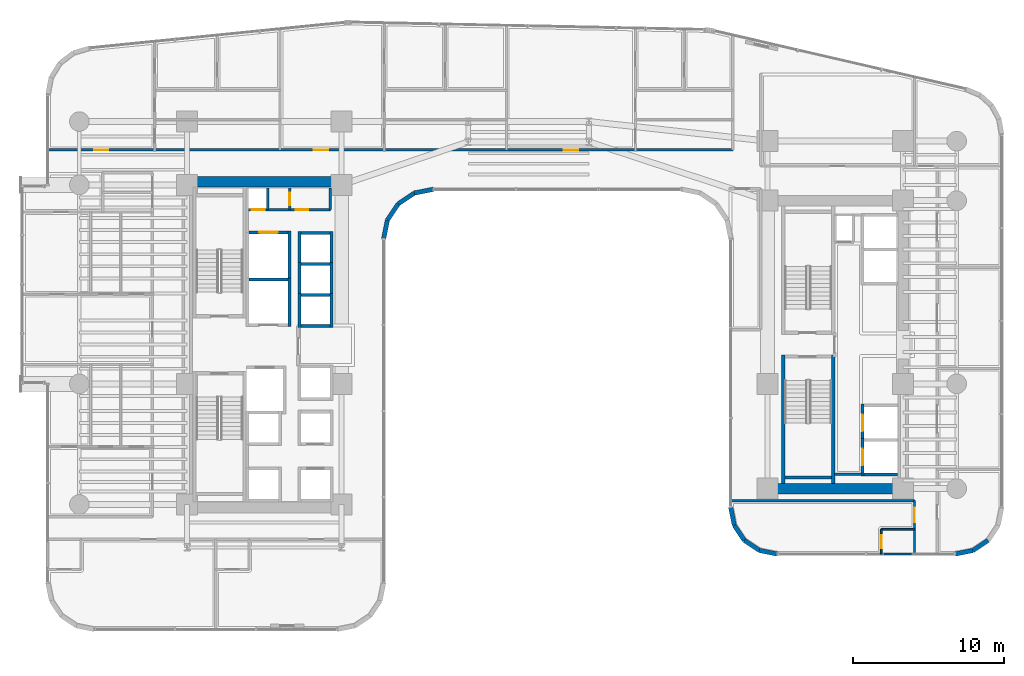
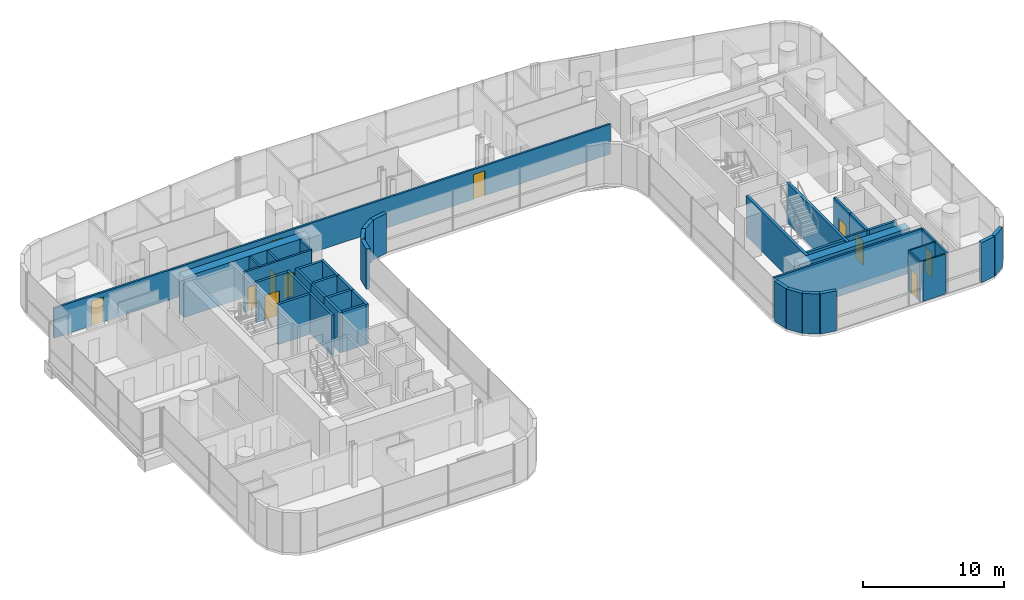
# One storey, part 31 of 40: 43 walls, 11 doors, 11 openings.
"""IFC4 building model written with IfcOpenShell, lengths in metres."""

from ifc_helpers import new_model, si_unit, direction, frame, frame_2d, origin, place, context, subcontext, project, spatial, rectangle, extrude, material, layer, layer_set, type_object, element, fill, save


model = new_model("IFC4")

# Units and contexts
model_context = context("Model", 3, precision=1e-05, world=origin(), true_north=direction((0.0, 1.0)))
body_context = subcontext(model_context, "Body", "Model", "MODEL_VIEW")
ifc_project = project(units=[si_unit("LENGTHUNIT", "METRE"), si_unit("AREAUNIT", "SQUARE_METRE"), si_unit("VOLUMEUNIT", "CUBIC_METRE"), si_unit("PLANEANGLEUNIT", "RADIAN"), si_unit("MASSUNIT", "GRAM", prefix="KILO")], contexts=[model_context])

# Site, building, storey
site_placement = place(None, origin())
site = spatial("IfcSite", under=ifc_project, at=site_placement, CompositionType="ELEMENT")
building_placement = place(site_placement, origin())
building = spatial("IfcBuilding", under=site, at=building_placement, Name="Valdorenza Pilgrim Sanctuary Tower", CompositionType="ELEMENT")
storey_placement = place(building_placement, frame((0.0, 0.0, 44.5)))
storey = spatial("IfcBuildingStorey", under=building, at=storey_placement, Name="L10", CompositionType="ELEMENT", Elevation=44.5)

# Wall, openings, doors
ifc_material_1 = material(Name="Acoustic twin-stud gypsum partition", Category="gypsum")
ifc_layer_1 = layer(ifc_material_1, 0.159912109375, Name="Acoustic twin-stud gypsum partition")
ifc_layer_set_1 = layer_set([ifc_layer_1], Name="Acoustic twin-stud gypsum partition")
wall_type_1 = type_object("IfcWallType", Name="WAL-COR-160", PredefinedType="PARTITIONING", material=ifc_layer_set_1)
wall_1_placement = place(storey_placement, frame((-18.64990234375, 8.949951171875, 0.0), z_axis=(0.0, 0.0, 1.0), x_axis=(1.0, 0.0, 0.0)))
wall_1 = element("IfcWall", 1, at=wall_1_placement, inside=storey, type_object=wall_type_1, Name="L10 Core A North Service South Wall", PredefinedType="PARTITIONING", context=body_context, shape_type="SweptSolid", body=[
    extrude(rectangle(XDim=5.5, YDim=0.159912109375, at=frame_2d((2.75, 0.0))), origin(), (0.0, 0.0, 1.0), 3.4599609375),
])
opening_1_placement = place(wall_1_placement, frame((0.300048828125, 0.0, 0.0)))
opening_1 = element("IfcOpeningElement", 2, at=opening_1_placement, cuts=wall_1, Name="Opening DR-RS1", PredefinedType="OPENING", context=body_context, shape_type="SweptSolid", body=[
    extrude(rectangle(XDim=0.85009765625, YDim=2.050048828125, at=frame_2d((0.425048828125, 1.02490234375))), frame((0.0, 0.0947265625, 0.0), z_axis=(0.0, -1.0, 0.0), x_axis=(1.0, 0.0, 0.0)), (0.0, 0.0, 1.0), 0.189697265625),
])
opening_2_placement = place(wall_1_placement, frame((3.199951171875, 0.0, 0.0)))
opening_2 = element("IfcOpeningElement", 3, at=opening_2_placement, cuts=wall_1, Name="Opening DR-RS1", PredefinedType="OPENING", context=body_context, shape_type="SweptSolid", body=[
    extrude(rectangle(XDim=0.85009765625, YDim=2.050048828125, at=frame_2d((0.425048828125, 1.02490234375))), frame((0.0, 0.0947265625, 0.0), z_axis=(0.0, -1.0, 0.0), x_axis=(1.0, 0.0, 0.0)), (0.0, 0.0, 1.0), 0.189697265625),
])
ifc_material_2 = material(Name="Painted galvanized steel", Category="steel")
door_type_1 = type_object("IfcDoorType", Name="DR-RSR-850", OperationType="NOTDEFINED", PredefinedType="DOOR", material=ifc_material_2)
door_1_placement = place(opening_1_placement, origin())
door_1 = element("IfcDoor", 4, at=door_1_placement, inside=storey, type_object=door_type_1, Name="L10 Core Electrical and Telecom Riser Door", OperationType="SINGLE_SWING_LEFT", OverallHeight=2.050048828125, OverallWidth=0.85009765625, PredefinedType="DOOR", context=body_context, shape_type="SweptSolid", body=[
    extrude(rectangle(XDim=0.85009765625, YDim=2.050048828125, at=frame_2d((0.425048828125, 1.02490234375))), frame((0.0, 0.02490234375, 0.0), z_axis=(0.0, -1.0, 0.0), x_axis=(1.0, 0.0, 0.0)), (0.0, 0.0, 1.0), 0.050048828125),
])
fill(opening_1, door_1)
door_2_placement = place(opening_2_placement, origin())
door_2 = element("IfcDoor", 5, at=door_2_placement, inside=storey, type_object=door_type_1, Name="L10 Housekeeping and Clean Linen Room Door", OperationType="SINGLE_SWING_RIGHT", OverallHeight=2.050048828125, OverallWidth=0.85009765625, PredefinedType="DOOR", context=body_context, shape_type="SweptSolid", body=[
    extrude(rectangle(XDim=0.85009765625, YDim=2.050048828125, at=frame_2d((0.425048828125, 1.02490234375))), frame((0.0, 0.02490234375, 0.0), z_axis=(0.0, -1.0, 0.0), x_axis=(1.0, 0.0, 0.0)), (0.0, 0.0, 1.0), 0.050048828125),
])
fill(opening_2, door_2)

# Walls
for number, where, z_axis, x_axis, name in (
    (6, (-13.14990234375, 8.949951171875, 0.0), (0.0, 0.0, 1.0), (0.0, 1.0, 0.0), "L10 Core A North Service East Wall"),
    (7, (-17.300048828125, 8.949951171875, 0.0), (0.0, 0.0, 1.0), (0.0, 1.0, 0.0), "L10 Core Electrical Riser Wall"),
):
    element("IfcWall", number, at=place(storey_placement, frame(where, z_axis=z_axis, x_axis=x_axis)), inside=storey, type_object=wall_type_1, Name=name, PredefinedType="PARTITIONING", context=body_context, shape_type="SweptSolid", body=[
        extrude(rectangle(XDim=1.429931640625, YDim=0.159912109375, at=frame_2d((0.71484375, 0.0))), origin(), (0.0, 0.0, 1.0), 3.4599609375),
    ])

# Wall, opening, door
wall_2_placement = place(storey_placement, frame((-15.85009765625, 8.949951171875, 0.0), z_axis=(0.0, 0.0, 1.0), x_axis=(0.0, 1.0, 0.0)))
wall_2 = element("IfcWall", 8, at=wall_2_placement, inside=storey, type_object=wall_type_1, Name="L10 Core A Split C", PredefinedType="PARTITIONING", context=body_context, shape_type="SweptSolid", body=[
    extrude(rectangle(XDim=1.429931640625, YDim=0.159912109375, at=frame_2d((0.71484375, 0.0))), origin(), (0.0, 0.0, 1.0), 3.4599609375),
])
opening_3_placement = place(wall_2_placement, frame((0.2900390625, 0.0, 0.0)))
opening_3 = element("IfcOpeningElement", 9, at=opening_3_placement, cuts=wall_2, Name="Opening DR-RS1", PredefinedType="OPENING", context=body_context, shape_type="SweptSolid", body=[
    extrude(rectangle(XDim=0.85009765625, YDim=2.050048828125, at=frame_2d((0.425048828125, 1.02490234375))), frame((0.0, 0.0947265625, 0.0), z_axis=(0.0, -1.0, 0.0), x_axis=(1.0, 0.0, 0.0)), (0.0, 0.0, 1.0), 0.189697265625),
])
door_3_placement = place(opening_3_placement, origin())
door_3 = element("IfcDoor", 10, at=door_3_placement, inside=storey, type_object=door_type_1, Name="L10 Clean Linen Supply Store Door", OperationType="SINGLE_SWING_LEFT", OverallHeight=2.050048828125, OverallWidth=0.85009765625, PredefinedType="DOOR", context=body_context, shape_type="SweptSolid", body=[
    extrude(rectangle(XDim=0.85009765625, YDim=2.050048828125, at=frame_2d((0.425048828125, 1.02490234375))), frame((0.0, 0.02490234375, 0.0), z_axis=(0.0, -1.0, 0.0), x_axis=(1.0, 0.0, 0.0)), (0.0, 0.0, 1.0), 0.050048828125),
])
fill(opening_3, door_3)

# Wall
wall_3_placement = place(storey_placement, frame((20.300048828125, -8.60009765625, 0.0), z_axis=(0.0, 0.0, 1.0), x_axis=(1.0, 0.0, 0.0)))
element("IfcWall", 11, at=wall_3_placement, inside=storey, type_object=wall_type_1, Name="L10 Core B Lift Hall South End Wall", PredefinedType="PARTITIONING", context=body_context, shape_type="SweptSolid", body=[
    extrude(rectangle(XDim=1.820068359375, YDim=0.159912109375, at=frame_2d((0.91015625, 0.0))), origin(), (0.0, 0.0, 1.0), 3.4599609375),
])

# Wall, openings, doors
wall_4_placement = place(storey_placement, frame((-31.889892578125, 12.919921875, 0.0), z_axis=(0.0, 0.0, 1.0), x_axis=(1.0, 0.0, 0.0)))
wall_4 = element("IfcWall", 12, at=wall_4_placement, inside=storey, type_object=wall_type_1, Name="L10 North Corridor Wall", PredefinedType="PARTITIONING", context=body_context, shape_type="SweptSolid", body=[
    extrude(rectangle(XDim=45.43994140625, YDim=0.159912109375, at=frame_2d((22.719970703125, 0.0))), origin(), (0.0, 0.0, 1.0), 2.5830078125),
])
opening_4_placement = place(wall_4_placement, frame((3.069091796875, 0.0, 0.0)))
opening_4 = element("IfcOpeningElement", 13, at=opening_4_placement, cuts=wall_4, Name="Opening DR-UN1", PredefinedType="OPENING", context=body_context, shape_type="SweptSolid", body=[
    extrude(rectangle(XDim=0.949951171875, YDim=2.14990234375, at=frame_2d((0.47509765625, 1.074951171875))), frame((0.0, 0.0947265625, 0.0), z_axis=(0.0, -1.0, 0.0), x_axis=(1.0, 0.0, 0.0)), (0.0, 0.0, 1.0), 0.189697265625),
])
opening_5_placement = place(wall_4_placement, frame((17.64697265625, 0.0, 0.0)))
opening_5 = element("IfcOpeningElement", 14, at=opening_5_placement, cuts=wall_4, Name="Opening DR-UN1", PredefinedType="OPENING", context=body_context, shape_type="SweptSolid", body=[
    extrude(rectangle(XDim=0.949951171875, YDim=2.14990234375, at=frame_2d((0.47509765625, 1.074951171875))), frame((0.0, 0.0947265625, 0.0), z_axis=(0.0, -1.0, 0.0), x_axis=(1.0, 0.0, 0.0)), (0.0, 0.0, 1.0), 0.189697265625),
])
opening_6_placement = place(wall_4_placement, frame((34.22705078125, 0.0, 0.0)))
opening_6 = element("IfcOpeningElement", 15, at=opening_6_placement, cuts=wall_4, Name="Opening DR-UN1", PredefinedType="OPENING", context=body_context, shape_type="SweptSolid", body=[
    extrude(rectangle(XDim=0.949951171875, YDim=2.14990234375, at=frame_2d((0.47509765625, 1.074951171875))), frame((0.0, 0.0947265625, 0.0), z_axis=(0.0, -1.0, 0.0), x_axis=(1.0, 0.0, 0.0)), (0.0, 0.0, 1.0), 0.189697265625),
])
ifc_material_3 = material(Name="Solid-core European oak timber", Category="wood")
door_type_2 = type_object("IfcDoorType", Name="DR-UNIT-950", OperationType="NOTDEFINED", PredefinedType="DOOR", material=ifc_material_3)
door_4_placement = place(opening_4_placement, frame((0.949951171875, 0.0, 0.0), z_axis=(0.0, 0.0, 1.0), x_axis=(-1.0, 0.0, 0.0)))
door_4 = element("IfcDoor", 16, at=door_4_placement, inside=storey, type_object=door_type_2, Name="L10 North Family Flat L10-N1 Entrance Door", OperationType="SINGLE_SWING_LEFT", OverallHeight=2.14990234375, OverallWidth=0.949951171875, PredefinedType="DOOR", context=body_context, shape_type="SweptSolid", body=[
    extrude(rectangle(XDim=0.949951171875, YDim=2.14990234375, at=frame_2d((0.47509765625, 1.074951171875))), frame((0.0, 0.02490234375, 0.0), z_axis=(0.0, -1.0, 0.0), x_axis=(1.0, 0.0, 0.0)), (0.0, 0.0, 1.0), 0.050048828125),
])
fill(opening_4, door_4)
door_5_placement = place(opening_5_placement, origin())
door_5 = element("IfcDoor", 17, at=door_5_placement, inside=storey, type_object=door_type_2, Name="L10 North Family Flat L10-N2 Entrance Door", OperationType="SINGLE_SWING_RIGHT", OverallHeight=2.14990234375, OverallWidth=0.949951171875, PredefinedType="DOOR", context=body_context, shape_type="SweptSolid", body=[
    extrude(rectangle(XDim=0.949951171875, YDim=2.14990234375, at=frame_2d((0.47509765625, 1.074951171875))), frame((0.0, 0.02490234375, 0.0), z_axis=(0.0, -1.0, 0.0), x_axis=(1.0, 0.0, 0.0)), (0.0, 0.0, 1.0), 0.050048828125),
])
fill(opening_5, door_5)
door_6_placement = place(opening_6_placement, frame((0.949951171875, 0.0, 0.0), z_axis=(0.0, 0.0, 1.0), x_axis=(-1.0, 0.0, 0.0)))
door_6 = element("IfcDoor", 18, at=door_6_placement, inside=storey, type_object=door_type_2, Name="L10 North Family Flat L10-N3 Entrance Door", OperationType="SINGLE_SWING_LEFT", OverallHeight=2.14990234375, OverallWidth=0.949951171875, PredefinedType="DOOR", context=body_context, shape_type="SweptSolid", body=[
    extrude(rectangle(XDim=0.949951171875, YDim=2.14990234375, at=frame_2d((0.47509765625, 1.074951171875))), frame((0.0, 0.02490234375, 0.0), z_axis=(0.0, -1.0, 0.0), x_axis=(1.0, 0.0, 0.0)), (0.0, 0.0, 1.0), 0.050048828125),
])
fill(opening_6, door_6)

# Wall, opening, door
wall_5_placement = place(storey_placement, frame((25.60009765625, -13.889892578125, 0.0), z_axis=(0.0, 0.0, 1.0), x_axis=(0.0, 1.0, 0.0)))
wall_5 = element("IfcWall", 19, at=wall_5_placement, inside=storey, type_object=wall_type_1, Name="L10 Wing B South-East Corridor Wall", PredefinedType="PARTITIONING", context=body_context, shape_type="SweptSolid", body=[
    extrude(rectangle(XDim=3.539794921875, YDim=0.159912109375, at=frame_2d((1.77001953125, 0.0))), origin(), (0.0, 0.0, 1.0), 3.4599609375),
])
opening_7_placement = place(wall_5_placement, frame((2.1201171875, 0.0, 0.0)))
opening_7 = element("IfcOpeningElement", 20, at=opening_7_placement, cuts=wall_5, Name="Opening DR-UN1", PredefinedType="OPENING", context=body_context, shape_type="SweptSolid", body=[
    extrude(rectangle(XDim=0.949951171875, YDim=2.14990234375, at=frame_2d((0.47509765625, 1.074951171875))), frame((0.0, 0.0947265625, 0.0), z_axis=(0.0, -1.0, 0.0), x_axis=(1.0, 0.0, 0.0)), (0.0, 0.0, 1.0), 0.189697265625),
])
door_7_placement = place(opening_7_placement, frame((0.949951171875, 0.0, 0.0), z_axis=(0.0, 0.0, 1.0), x_axis=(-1.0, 0.0, 0.0)))
door_7 = element("IfcDoor", 21, at=door_7_placement, inside=storey, type_object=door_type_2, Name="L10 East South Guest Room L10-ES1 Entrance Door", OperationType="SINGLE_SWING_LEFT", OverallHeight=2.14990234375, OverallWidth=0.949951171875, PredefinedType="DOOR", context=body_context, shape_type="SweptSolid", body=[
    extrude(rectangle(XDim=0.949951171875, YDim=2.14990234375, at=frame_2d((0.47509765625, 1.074951171875))), frame((0.0, 0.02490234375, 0.0), z_axis=(0.0, -1.0, 0.0), x_axis=(1.0, 0.0, 0.0)), (0.0, 0.0, 1.0), 0.050048828125),
])
fill(opening_7, door_7)

# Walls
wall_6_placement = place(storey_placement, frame((13.409912109375, -10.35009765625, 0.0), z_axis=(0.0, 0.0, 1.0), x_axis=(1.0, 0.0, 0.0)))
element("IfcWall", 22, at=wall_6_placement, inside=storey, type_object=wall_type_1, Name="L10 Wing B South North Wall", PredefinedType="PARTITIONING", context=body_context, shape_type="SweptSolid", body=[
    extrude(rectangle(XDim=12.190185546875, YDim=0.159912109375, at=frame_2d((6.09521484375, 0.0))), origin(), (0.0, 0.0, 1.0), 3.4599609375),
])
ifc_material_4 = material(Name="Concrete C60/75", Category="concrete")
ifc_layer_2 = layer(ifc_material_4, 0.699951171875, Name="Concrete C60/75")
ifc_layer_set_2 = layer_set([ifc_layer_2], Name="Concrete C60/75")
wall_type_2 = type_object("IfcWallType", Name="WAL-COR-700", PredefinedType="SHEAR", material=ifc_layer_set_2)
wall_7_placement = place(storey_placement, frame((-22.64990234375, 10.800048828125, 0.0), z_axis=(0.0, 0.0, 1.0), x_axis=(1.0, 0.0, 0.0)))
element("IfcWall", 23, at=wall_7_placement, inside=storey, type_object=wall_type_2, Name="L10 Split Core A Shear Wall N", PredefinedType="SHEAR", context=body_context, shape_type="SweptSolid", body=[
    extrude(rectangle(XDim=10.25, YDim=0.699951171875, at=frame_2d((5.125, 0.0))), origin(), (0.0, 0.0, 1.0), 3.4599609375),
])
wall_8_placement = place(storey_placement, frame((15.85009765625, -9.550048828125, 0.0), z_axis=(0.0, 0.0, 1.0), x_axis=(1.0, 0.0, 0.0)))
element("IfcWall", 24, at=wall_8_placement, inside=storey, type_object=wall_type_2, Name="L10 Split Core B Shear Wall S", PredefinedType="SHEAR", context=body_context, shape_type="SweptSolid", body=[
    extrude(rectangle(XDim=9.0, YDim=0.699951171875, at=frame_2d((4.5, 0.0))), origin(), (0.0, 0.0, 1.0), 3.4599609375),
])
ifc_material_5 = material(Name="Honed travertine limestone", Category="masonry")
ifc_layer_3 = layer(ifc_material_5, 0.300048828125, Name="Honed travertine limestone")
ifc_layer_set_3 = layer_set([ifc_layer_3], Name="Honed travertine limestone")
wall_type_3 = type_object("IfcWallType", Name="WAL-EXT-300", PredefinedType="SOLIDWALL", material=ifc_layer_set_3)
wall_9_placement = place(storey_placement, frame((30.4833984375, -12.9833984375, 0.0), z_axis=(0.0, 0.0, 1.0), x_axis=(-0.831426265255, -0.555635100982, 0.0)))
element("IfcWall", 25, at=wall_9_placement, inside=storey, type_object=wall_type_3, Name="L10 Rounded Wind-Corner Stone Pier 24", PredefinedType="SOLIDWALL", context=body_context, shape_type="SweptSolid", body=[
    extrude(rectangle(XDim=1.204833984375, YDim=0.300048828125, at=frame_2d((0.6025390625, 0.0))), origin(), (0.0, 0.0, 1.0), 3.4599609375),
])
for number, where, z_axis, x_axis, name in (
    (26, (29.481689453125, -13.65283203125, 0.0), (0.0, 0.0, 1.0), (-0.980804027463, -0.194996050505, 0.0), "L10 Rounded Wind-Corner Stone Pier 25"),
    (27, (16.5107421875, -13.889892578125, 0.0), (0.0, 0.0, 1.0), (-0.980804027463, 0.194996050505, 0.0), "L10 Rounded Wind-Corner Stone Pier 27"),
):
    element("IfcWall", number, at=place(storey_placement, frame(where, z_axis=z_axis, x_axis=x_axis)), inside=storey, type_object=wall_type_3, Name=name, PredefinedType="SOLIDWALL", context=body_context, shape_type="SweptSolid", body=[
        extrude(rectangle(XDim=1.2158203125, YDim=0.300048828125, at=frame_2d((0.60791015625, 0.0))), origin(), (0.0, 0.0, 1.0), 3.4599609375),
    ])
for number, where, z_axis, x_axis, name in (
    (28, (15.318359375, -13.65283203125, 0.0), (0.0, 0.0, 1.0), (-0.831426265255, 0.555635100982, 0.0), "L10 Rounded Wind-Corner Stone Pier 28"),
    (29, (14.316650390625, -12.9833984375, 0.0), (0.0, 0.0, 1.0), (-0.555635100982, 0.831426265255, 0.0), "L10 Rounded Wind-Corner Stone Pier 29"),
):
    element("IfcWall", number, at=place(storey_placement, frame(where, z_axis=z_axis, x_axis=x_axis)), inside=storey, type_object=wall_type_3, Name=name, PredefinedType="SOLIDWALL", context=body_context, shape_type="SweptSolid", body=[
        extrude(rectangle(XDim=1.204833984375, YDim=0.300048828125, at=frame_2d((0.6025390625, 0.0))), origin(), (0.0, 0.0, 1.0), 3.4599609375),
    ])
wall_10_placement = place(storey_placement, frame((13.647216796875, -11.981689453125, 0.0), z_axis=(0.0, 0.0, 1.0), x_axis=(-0.195189223115, 0.980765602568, 0.0)))
element("IfcWall", 30, at=wall_10_placement, inside=storey, type_object=wall_type_3, Name="L10 Rounded Wind-Corner Stone Pier 30", PredefinedType="SOLIDWALL", context=body_context, shape_type="SweptSolid", body=[
    extrude(rectangle(XDim=1.2158203125, YDim=0.300048828125, at=frame_2d((0.60791015625, 0.0))), origin(), (0.0, 0.0, 1.0), 3.4599609375),
])
wall_11_placement = place(storey_placement, frame((-6.310791015625, 10.31005859375, 0.0), z_axis=(0.0, 0.0, 1.0), x_axis=(-0.980778058848, -0.195126623715, 0.0)))
element("IfcWall", 31, at=wall_11_placement, inside=storey, type_object=wall_type_3, Name="L10 Rounded Wind-Corner Stone Pier 37", PredefinedType="SOLIDWALL", context=body_context, shape_type="SweptSolid", body=[
    extrude(rectangle(XDim=1.28125, YDim=0.300048828125, at=frame_2d((0.640625, 0.0))), origin(), (0.0, 0.0, 1.0), 3.4599609375),
])
wall_12_placement = place(storey_placement, frame((-7.5673828125, 10.06005859375, 0.0), z_axis=(0.0, 0.0, 1.0), x_axis=(-0.831497739511, -0.555528135371, 0.0)))
element("IfcWall", 32, at=wall_12_placement, inside=storey, type_object=wall_type_3, Name="L10 Rounded Wind-Corner Stone Pier 38", PredefinedType="SOLIDWALL", context=body_context, shape_type="SweptSolid", body=[
    extrude(rectangle(XDim=1.29248046875, YDim=0.300048828125, at=frame_2d((0.646240234375, 0.0))), origin(), (0.0, 0.0, 1.0), 3.4599609375),
])
wall_13_placement = place(storey_placement, frame((-8.64208984375, 9.342041015625, 0.0), z_axis=(0.0, 0.0, 1.0), x_axis=(-0.555615398575, -0.831439431869, 0.0)))
element("IfcWall", 33, at=wall_13_placement, inside=storey, type_object=wall_type_3, Name="L10 Rounded Wind-Corner Stone Pier 39", PredefinedType="SOLIDWALL", context=body_context, shape_type="SweptSolid", body=[
    extrude(rectangle(XDim=1.292236328125, YDim=0.300048828125, at=frame_2d((0.64599609375, 0.0))), origin(), (0.0, 0.0, 1.0), 3.4599609375),
])
wall_14_placement = place(storey_placement, frame((-9.360107421875, 8.267578125, 0.0), z_axis=(0.0, 0.0, 1.0), x_axis=(-0.195090163074, -0.980785312019, 0.0)))
element("IfcWall", 34, at=wall_14_placement, inside=storey, type_object=wall_type_3, Name="L10 Rounded Wind-Corner Stone Pier 40", PredefinedType="SOLIDWALL", context=body_context, shape_type="SweptSolid", body=[
    extrude(rectangle(XDim=1.281494140625, YDim=0.300048828125, at=frame_2d((0.640625, 0.0))), origin(), (0.0, 0.0, 1.0), 3.4599609375),
])
ifc_material_6 = material(Name="Moisture-resistant gypsum partition", Category="gypsum")
ifc_layer_4 = layer(ifc_material_6, 0.1201171875, Name="Moisture-resistant gypsum partition")
ifc_layer_set_4 = layer_set([ifc_layer_4], Name="Moisture-resistant gypsum partition")
wall_type_4 = type_object("IfcWallType", Name="WAL-INT-120", PredefinedType="PARTITIONING", material=ifc_layer_set_4)
wall_15_placement = place(storey_placement, frame((23.39990234375, -12.239990234375, 0.0), z_axis=(0.0, 0.0, 1.0), x_axis=(1.0, 0.0, 0.0)))
element("IfcWall", 35, at=wall_15_placement, inside=storey, type_object=wall_type_4, Name="L10 East South Guest Room L10-ES1 En-suite North Wall", PredefinedType="PARTITIONING", context=body_context, shape_type="SweptSolid", body=[
    extrude(rectangle(XDim=2.2001953125, YDim=0.1201171875, at=frame_2d((1.10009765625, 0.0))), origin(), (0.0, 0.0, 1.0), 3.4599609375),
])

# Wall, opening, door
wall_16_placement = place(storey_placement, frame((23.39990234375, -13.889892578125, 0.0), z_axis=(0.0, 0.0, 1.0), x_axis=(0.0, 1.0, 0.0)))
wall_16 = element("IfcWall", 36, at=wall_16_placement, inside=storey, type_object=wall_type_4, Name="L10 East South Guest Room L10-ES1 En-suite Door Wall", PredefinedType="PARTITIONING", context=body_context, shape_type="SweptSolid", body=[
    extrude(rectangle(XDim=1.64990234375, YDim=0.1201171875, at=frame_2d((0.824951171875, 0.0))), origin(), (0.0, 0.0, 1.0), 3.4599609375),
])
opening_8_placement = place(wall_16_placement, frame((0.39990234375, 0.0, 0.0)))
opening_8 = element("IfcOpeningElement", 37, at=opening_8_placement, cuts=wall_16, Name="Opening DR-WC1", PredefinedType="OPENING", context=body_context, shape_type="SweptSolid", body=[
    extrude(rectangle(XDim=0.85009765625, YDim=2.10009765625, at=frame_2d((0.425048828125, 1.050048828125))), frame((0.0, 0.074951171875, 0.0), z_axis=(0.0, -1.0, 0.0), x_axis=(1.0, 0.0, 0.0)), (0.0, 0.0, 1.0), 0.14990234375),
])
ifc_material_7 = material(Name="Moisture-resistant lacquered timber", Category="wood")
door_type_3 = type_object("IfcDoorType", Name="DR-BATH-850", OperationType="NOTDEFINED", PredefinedType="DOOR", material=ifc_material_7)
door_8_placement = place(opening_8_placement, origin())
door_8 = element("IfcDoor", 38, at=door_8_placement, inside=storey, type_object=door_type_3, Name="L10 East South Guest Room L10-ES1 En-suite Bathroom Door", OperationType="SINGLE_SWING_RIGHT", OverallHeight=2.10009765625, OverallWidth=0.85009765625, PredefinedType="DOOR", context=body_context, shape_type="SweptSolid", body=[
    extrude(rectangle(XDim=0.85009765625, YDim=2.10009765625, at=frame_2d((0.425048828125, 1.050048828125))), frame((0.0, 0.02490234375, 0.0), z_axis=(0.0, -1.0, 0.0), x_axis=(1.0, 0.0, 0.0)), (0.0, 0.0, 1.0), 0.050048828125),
])
fill(opening_8, door_8)

# Walls
wall_17_placement = place(storey_placement, frame((23.580078125, -13.889892578125, 0.0), z_axis=(0.0, 0.0, 1.0), x_axis=(1.0, 0.0, 0.0)))
element("IfcWall", 39, at=wall_17_placement, inside=storey, type_object=wall_type_4, Name="L10 WB-SG1-ENS Enclosure Wall S", PredefinedType="PARTITIONING", context=body_context, shape_type="SweptSolid", body=[
    extrude(rectangle(XDim=1.81982421875, YDim=0.1201171875, at=frame_2d((0.909912109375, 0.0))), origin(), (0.0, 0.0, 1.0), 3.4599609375),
])
ifc_material_8 = material(Name="Autoclaved aerated concrete blockwork", Category="masonry")
ifc_layer_5 = layer(ifc_material_8, 0.199951171875, Name="Autoclaved aerated concrete blockwork")
ifc_layer_set_5 = layer_set([ifc_layer_5], Name="Autoclaved aerated concrete blockwork")
wall_type_5 = type_object("IfcWallType", Name="WAL-SHF-200", PredefinedType="MOVABLE", material=ifc_layer_set_5)
wall_18_placement = place(storey_placement, frame((-15.85009765625, 1.199951171875, 0.0), z_axis=(0.0, 0.0, 1.0), x_axis=(0.0, 1.0, 0.0)))
element("IfcWall", 40, at=wall_18_placement, inside=storey, type_object=wall_type_5, Name="L10 Lift FFL-01 Hoistway Wall East", PredefinedType="MOVABLE", context=body_context, shape_type="SweptSolid", body=[
    extrude(rectangle(XDim=3.22509765625, YDim=0.199951171875, at=frame_2d((1.612548828125, 0.0))), origin(), (0.0, 0.0, 1.0), 3.4599609375),
])
wall_19_placement = place(storey_placement, frame((-18.550048828125, 4.324951171875, 0.0), z_axis=(0.0, 0.0, 1.0), x_axis=(1.0, 0.0, 0.0)))
element("IfcWall", 41, at=wall_19_placement, inside=storey, type_object=wall_type_5, Name="L10 Lift FFL-01 Hoistway Wall North", PredefinedType="MOVABLE", context=body_context, shape_type="SweptSolid", body=[
    extrude(rectangle(XDim=2.60009765625, YDim=0.199951171875, at=frame_2d((1.300048828125, 0.0))), origin(), (0.0, 0.0, 1.0), 3.4599609375),
])
wall_20_placement = place(storey_placement, frame((-15.85009765625, 4.22509765625, 0.0), z_axis=(0.0, 0.0, 1.0), x_axis=(0.0, 1.0, 0.0)))
element("IfcWall", 42, at=wall_20_placement, inside=storey, type_object=wall_type_5, Name="L10 Lift SVL-01 Hoistway Wall East", PredefinedType="MOVABLE", context=body_context, shape_type="SweptSolid", body=[
    extrude(rectangle(XDim=3.324951171875, YDim=0.199951171875, at=frame_2d((1.66259765625, 0.0))), origin(), (0.0, 0.0, 1.0), 3.4599609375),
])

# Wall, opening, door
wall_21_placement = place(storey_placement, frame((-18.550048828125, 7.449951171875, 0.0), z_axis=(0.0, 0.0, 1.0), x_axis=(1.0, 0.0, 0.0)))
wall_21 = element("IfcWall", 43, at=wall_21_placement, inside=storey, type_object=wall_type_5, Name="L10 Lift SVL-01 Hoistway Wall North", PredefinedType="MOVABLE", context=body_context, shape_type="SweptSolid", body=[
    extrude(rectangle(XDim=2.60009765625, YDim=0.199951171875, at=frame_2d((1.300048828125, 0.0))), origin(), (0.0, 0.0, 1.0), 3.4599609375),
])
opening_9_placement = place(wall_21_placement, frame((0.699951171875, 0.0, 0.0)))
opening_9 = element("IfcOpeningElement", 44, at=opening_9_placement, cuts=wall_21, Name="Opening LD-02", PredefinedType="OPENING", context=body_context, shape_type="SweptSolid", body=[
    extrude(rectangle(XDim=1.199951171875, YDim=2.10009765625, at=frame_2d((0.60009765625, 1.050048828125))), frame((0.0, 0.11474609375, 0.0), z_axis=(0.0, -1.0, 0.0), x_axis=(1.0, 0.0, 0.0)), (0.0, 0.0, 1.0), 0.229736328125),
])
ifc_material_9 = material(Name="Brushed stainless steel Grade 316", Category="steel")
door_type_4 = type_object("IfcDoorType", Name="DR-LFT-1200", OperationType="DOUBLE_DOOR_SLIDING", PredefinedType="DOOR", material=ifc_material_9)
door_9_placement = place(opening_9_placement, origin())
door_9 = element("IfcDoor", 45, at=door_9_placement, inside=storey, type_object=door_type_4, Name="L10 Lift SVL-01 Sliding Landing Door", OperationType="DOUBLE_DOOR_SLIDING", OverallHeight=2.10009765625, OverallWidth=1.199951171875, PredefinedType="DOOR", context=body_context, shape_type="SweptSolid", body=[
    extrude(rectangle(XDim=1.199951171875, YDim=2.10009765625, at=frame_2d((0.60009765625, 1.050048828125))), frame((0.0, 0.02490234375, 0.0), z_axis=(0.0, -1.0, 0.0), x_axis=(1.0, 0.0, 0.0)), (0.0, 0.0, 1.0), 0.050048828125),
])
fill(opening_9, door_9)

wall_22_placement = place(storey_placement, frame((22.14990234375, -8.699951171875, 0.0), z_axis=(0.0, 0.0, 1.0), x_axis=(0.0, 1.0, 0.0)))
wall_22 = element("IfcWall", 46, at=wall_22_placement, inside=storey, type_object=wall_type_5, Name="L10 Lift PL-03 Hoistway Wall West", PredefinedType="MOVABLE", context=body_context, shape_type="SweptSolid", body=[
    extrude(rectangle(XDim=2.474853515625, YDim=0.199951171875, at=frame_2d((1.2373046875, 0.0))), origin(), (0.0, 0.0, 1.0), 3.4599609375),
])
opening_10_placement = place(wall_22_placement, frame((0.6875, 0.0, 0.0)))
opening_10 = element("IfcOpeningElement", 47, at=opening_10_placement, cuts=wall_22, Name="Opening LD-01", PredefinedType="OPENING", context=body_context, shape_type="SweptSolid", body=[
    extrude(rectangle(XDim=1.10009765625, YDim=2.10009765625, at=frame_2d((0.550048828125, 1.050048828125))), frame((0.0, 0.11474609375, 0.0), z_axis=(0.0, -1.0, 0.0), x_axis=(1.0, 0.0, 0.0)), (0.0, 0.0, 1.0), 0.229736328125),
])
door_type_5 = type_object("IfcDoorType", Name="DR-LFT-1100", OperationType="DOUBLE_DOOR_SLIDING", PredefinedType="DOOR", material=ifc_material_9)
door_10_placement = place(opening_10_placement, origin())
door_10 = element("IfcDoor", 48, at=door_10_placement, inside=storey, type_object=door_type_5, Name="L10 Lift PL-03 Sliding Landing Door", OperationType="DOUBLE_DOOR_SLIDING", OverallHeight=2.10009765625, OverallWidth=1.10009765625, PredefinedType="DOOR", context=body_context, shape_type="SweptSolid", body=[
    extrude(rectangle(XDim=1.10009765625, YDim=2.10009765625, at=frame_2d((0.550048828125, 1.050048828125))), frame((0.0, 0.02490234375, 0.0), z_axis=(0.0, -1.0, 0.0), x_axis=(1.0, 0.0, 0.0)), (0.0, 0.0, 1.0), 0.050048828125),
])
fill(opening_10, door_10)

# Wall
wall_23_placement = place(storey_placement, frame((22.25, -8.60009765625, 0.0), z_axis=(0.0, 0.0, 1.0), x_axis=(1.0, 0.0, 0.0)))
element("IfcWall", 49, at=wall_23_placement, inside=storey, type_object=wall_type_5, Name="L10 Lift PL-03 Hoistway Wall South", PredefinedType="MOVABLE", context=body_context, shape_type="SweptSolid", body=[
    extrude(rectangle(XDim=2.22998046875, YDim=0.199951171875, at=frame_2d((1.114990234375, 0.0))), origin(), (0.0, 0.0, 1.0), 3.4599609375),
])

# Wall, opening, door
wall_24_placement = place(storey_placement, frame((22.14990234375, -6.425048828125, 0.0), z_axis=(0.0, 0.0, 1.0), x_axis=(0.0, 1.0, 0.0)))
wall_24 = element("IfcWall", 50, at=wall_24_placement, inside=storey, type_object=wall_type_5, Name="L10 Lift PL-04 Hoistway Wall West", PredefinedType="MOVABLE", context=body_context, shape_type="SweptSolid", body=[
    extrude(rectangle(XDim=2.47509765625, YDim=0.199951171875, at=frame_2d((1.237548828125, 0.0))), origin(), (0.0, 0.0, 1.0), 3.4599609375),
])
opening_11_placement = place(wall_24_placement, frame((0.6875, 0.0, 0.0)))
opening_11 = element("IfcOpeningElement", 51, at=opening_11_placement, cuts=wall_24, Name="Opening LD-01", PredefinedType="OPENING", context=body_context, shape_type="SweptSolid", body=[
    extrude(rectangle(XDim=1.10009765625, YDim=2.10009765625, at=frame_2d((0.550048828125, 1.050048828125))), frame((0.0, 0.11474609375, 0.0), z_axis=(0.0, -1.0, 0.0), x_axis=(1.0, 0.0, 0.0)), (0.0, 0.0, 1.0), 0.229736328125),
])
door_11_placement = place(opening_11_placement, origin())
door_11 = element("IfcDoor", 52, at=door_11_placement, inside=storey, type_object=door_type_5, Name="L10 Lift PL-04 Sliding Landing Door", OperationType="DOUBLE_DOOR_SLIDING", OverallHeight=2.10009765625, OverallWidth=1.10009765625, PredefinedType="DOOR", context=body_context, shape_type="SweptSolid", body=[
    extrude(rectangle(XDim=1.10009765625, YDim=2.10009765625, at=frame_2d((0.550048828125, 1.050048828125))), frame((0.0, 0.02490234375, 0.0), z_axis=(0.0, -1.0, 0.0), x_axis=(1.0, 0.0, 0.0)), (0.0, 0.0, 1.0), 0.050048828125),
])
fill(opening_11, door_11)

# Walls
for number, where, z_axis, x_axis, name in (
    (53, (-15.199951171875, 1.14990234375, 0.0), (0.0, 0.0, 1.0), (0.0, 1.0, 0.0), "L10 Lift PL-06 Hoistway Wall West"),
    (54, (-13.080078125, 1.14990234375, 0.0), (0.0, 0.0, 1.0), (0.0, 1.0, 0.0), "L10 Lift PL-06 Hoistway Wall East"),
):
    element("IfcWall", number, at=place(storey_placement, frame(where, z_axis=z_axis, x_axis=x_axis)), inside=storey, type_object=wall_type_5, Name=name, PredefinedType="MOVABLE", context=body_context, shape_type="SweptSolid", body=[
        extrude(rectangle(XDim=2.25, YDim=0.199951171875, at=frame_2d((1.125, 0.0))), origin(), (0.0, 0.0, 1.0), 3.4599609375),
    ])
wall_25_placement = place(storey_placement, frame((-15.10009765625, 1.25, 0.0), z_axis=(0.0, 0.0, 1.0), x_axis=(1.0, 0.0, 0.0)))
element("IfcWall", 55, at=wall_25_placement, inside=storey, type_object=wall_type_5, Name="L10 Lift PL-06 Hoistway Wall South", PredefinedType="MOVABLE", context=body_context, shape_type="SweptSolid", body=[
    extrude(rectangle(XDim=1.920166015625, YDim=0.199951171875, at=frame_2d((0.9599609375, 0.0))), origin(), (0.0, 0.0, 1.0), 3.4599609375),
])
for number, where, z_axis, x_axis, name in (
    (56, (-15.199951171875, 3.199951171875, 0.0), (0.0, 0.0, 1.0), (0.0, 1.0, 0.0), "L10 Lift PL-09 Hoistway Wall West"),
    (57, (-13.080078125, 3.199951171875, 0.0), (0.0, 0.0, 1.0), (0.0, 1.0, 0.0), "L10 Lift PL-09 Hoistway Wall East"),
):
    element("IfcWall", number, at=place(storey_placement, frame(where, z_axis=z_axis, x_axis=x_axis)), inside=storey, type_object=wall_type_5, Name=name, PredefinedType="MOVABLE", context=body_context, shape_type="SweptSolid", body=[
        extrude(rectangle(XDim=2.25, YDim=0.199951171875, at=frame_2d((1.125, 0.0))), origin(), (0.0, 0.0, 1.0), 3.4599609375),
    ])
for number, where, z_axis, x_axis, name in (
    (58, (-15.10009765625, 3.300048828125, 0.0), (0.0, 0.0, 1.0), (1.0, 0.0, 0.0), "L10 Lift PL-09 Hoistway Wall South"),
    (59, (-15.10009765625, 5.35009765625, 0.0), (0.0, 0.0, 1.0), (1.0, 0.0, 0.0), "L10 Lift PL-09 Hoistway Wall North"),
):
    element("IfcWall", number, at=place(storey_placement, frame(where, z_axis=z_axis, x_axis=x_axis)), inside=storey, type_object=wall_type_5, Name=name, PredefinedType="MOVABLE", context=body_context, shape_type="SweptSolid", body=[
        extrude(rectangle(XDim=1.920166015625, YDim=0.199951171875, at=frame_2d((0.9599609375, 0.0))), origin(), (0.0, 0.0, 1.0), 3.4599609375),
    ])
for number, where, z_axis, x_axis, name in (
    (60, (-15.199951171875, 5.25, 0.0), (0.0, 0.0, 1.0), (0.0, 1.0, 0.0), "L10 Lift PL-10 Hoistway Wall West"),
    (61, (-13.080078125, 5.25, 0.0), (0.0, 0.0, 1.0), (0.0, 1.0, 0.0), "L10 Lift PL-10 Hoistway Wall East"),
):
    element("IfcWall", number, at=place(storey_placement, frame(where, z_axis=z_axis, x_axis=x_axis)), inside=storey, type_object=wall_type_5, Name=name, PredefinedType="MOVABLE", context=body_context, shape_type="SweptSolid", body=[
        extrude(rectangle(XDim=2.25, YDim=0.199951171875, at=frame_2d((1.125, 0.0))), origin(), (0.0, 0.0, 1.0), 3.4599609375),
    ])
wall_26_placement = place(storey_placement, frame((-15.10009765625, 7.39990234375, 0.0), z_axis=(0.0, 0.0, 1.0), x_axis=(1.0, 0.0, 0.0)))
element("IfcWall", 62, at=wall_26_placement, inside=storey, type_object=wall_type_5, Name="L10 Lift PL-10 Hoistway Wall North", PredefinedType="MOVABLE", context=body_context, shape_type="SweptSolid", body=[
    extrude(rectangle(XDim=1.920166015625, YDim=0.199951171875, at=frame_2d((0.9599609375, 0.0))), origin(), (0.0, 0.0, 1.0), 3.4599609375),
])
ifc_material_10 = material(Name="Concrete C40/50", Category="concrete")
ifc_layer_6 = layer(ifc_material_10, 0.219970703125, Name="Concrete C40/50")
ifc_layer_set_6 = layer_set([ifc_layer_6], Name="Concrete C40/50")
wall_type_6 = type_object("IfcWallType", Name="WAL-STR-SHF-220", PredefinedType="SHEAR", material=ifc_layer_set_6)
for number, where, z_axis, x_axis, name in (
    (63, (16.889892578125, -9.199951171875, 0.0), (0.0, 0.0, 1.0), (0.0, 1.0, 0.0), "L10 ST-B2 Structural Stairwell Wall W"),
    (64, (20.219970703125, -9.199951171875, 0.0), (0.0, 0.0, 1.0), (0.0, 1.0, 0.0), "L10 ST-B2 Structural Stairwell Wall E"),
):
    element("IfcWall", number, at=place(storey_placement, frame(where, z_axis=z_axis, x_axis=x_axis)), inside=storey, type_object=wall_type_6, Name=name, PredefinedType="SHEAR", context=body_context, shape_type="SweptSolid", body=[
        extrude(rectangle(XDim=8.52001953125, YDim=0.219970703125, at=frame_2d((4.260009765625, 0.0))), origin(), (0.0, 0.0, 1.0), 3.4599609375),
    ])
wall_27_placement = place(storey_placement, frame((17.0, -8.81005859375, 0.0), z_axis=(0.0, 0.0, 1.0), x_axis=(1.0, 0.0, 0.0)))
element("IfcWall", 65, at=wall_27_placement, inside=storey, type_object=wall_type_6, Name="L10 ST-B2 Structural Stairwell Wall S", PredefinedType="SHEAR", context=body_context, shape_type="SweptSolid", body=[
    extrude(rectangle(XDim=3.110107421875, YDim=0.219970703125, at=frame_2d((1.55517578125, 0.0))), origin(), (0.0, 0.0, 1.0), 3.4599609375),
])

save(model, "model.ifc")
